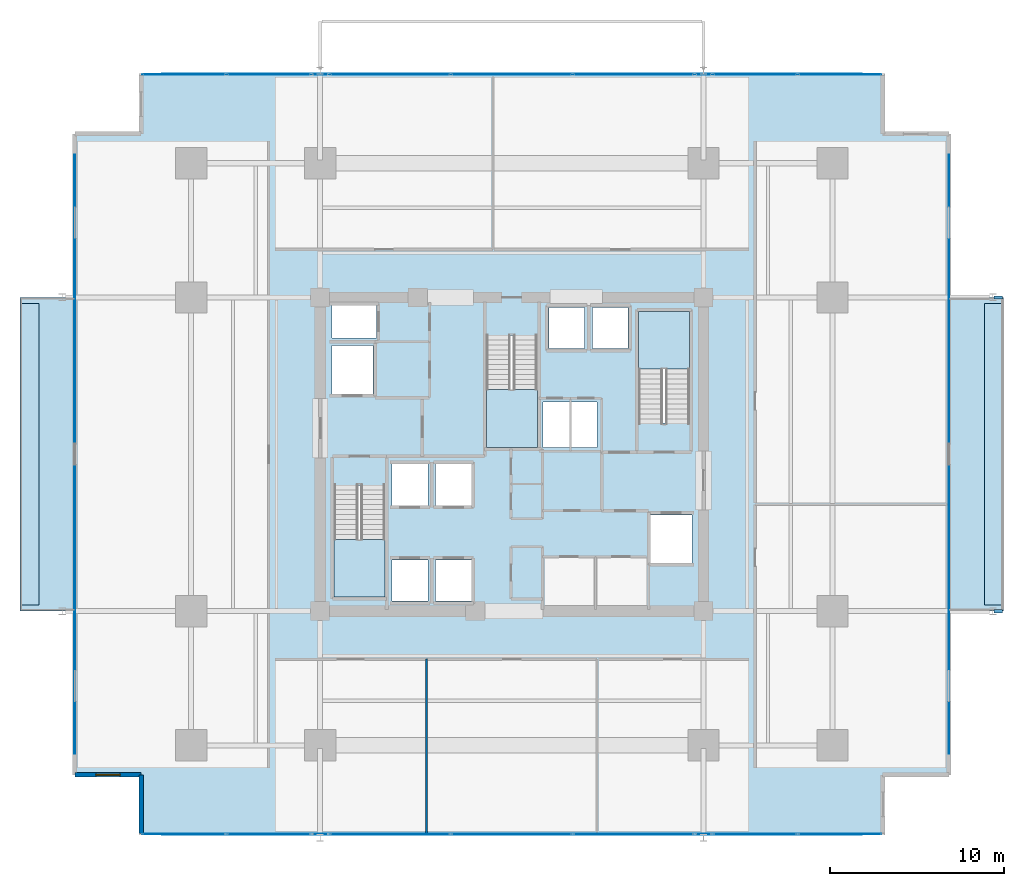
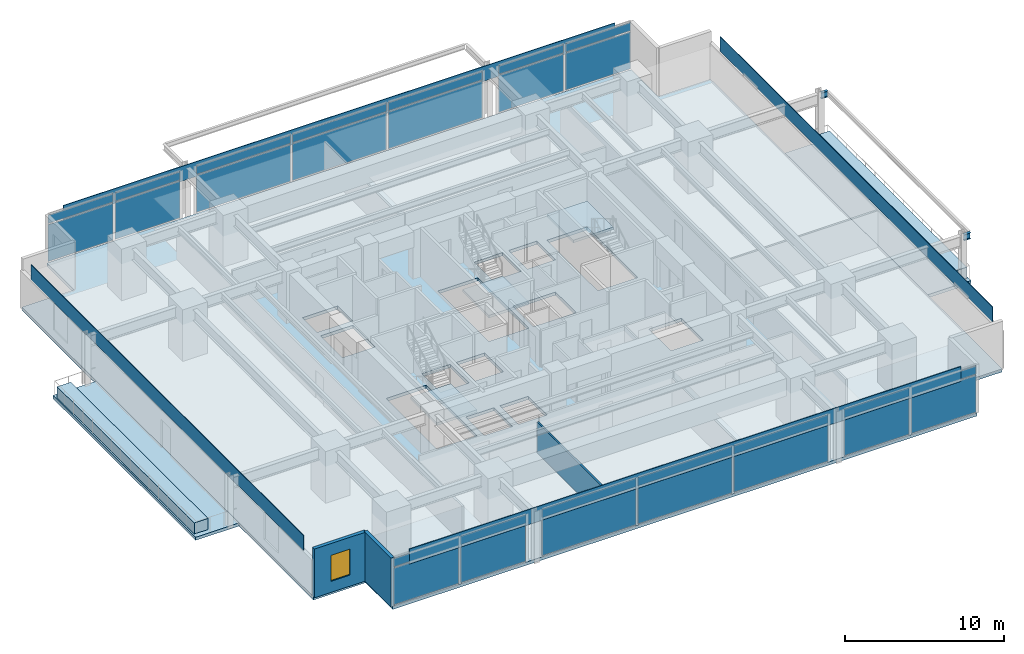
# One storey, part 12 of 20: 32 plates, 8 slabs, 3 walls, 2 beams, 1 window, 1 opening, 9 elements without a shape of their own.
"""IFC4 building model written with IfcOpenShell, lengths in metres."""

from ifc_helpers import new_model, si_unit, direction, frame, frame_2d, origin, origin_2d, place, context, subcontext, project, spatial, polyline, rectangle, i_section, outline, extrude, material, layer, layer_set, material_profile, profile_set, type_object, element, fill, aggregate, save


model = new_model("IFC4")

# Units and contexts
model_context = context("Model", 3, precision=1e-05, world=origin(), true_north=direction((0.0, 1.0)))
body_context = subcontext(model_context, "Body", "Model", "MODEL_VIEW")
ifc_project = project(units=[si_unit("LENGTHUNIT", "METRE"), si_unit("AREAUNIT", "SQUARE_METRE"), si_unit("VOLUMEUNIT", "CUBIC_METRE"), si_unit("PLANEANGLEUNIT", "RADIAN"), si_unit("MASSUNIT", "GRAM", prefix="KILO")], contexts=[model_context])

# Site, building, storey
site_placement = place(None, origin())
site = spatial("IfcSite", under=ifc_project, at=site_placement, CompositionType="ELEMENT")
building_placement = place(site_placement, origin())
building = spatial("IfcBuilding", under=site, at=building_placement, Name="Kovane Verandah Tower", CompositionType="ELEMENT")
storey_placement = place(building_placement, frame((0.0, 0.0, 35.60009765625)))
storey = spatial("IfcBuildingStorey", under=building, at=storey_placement, Name="L07", CompositionType="ELEMENT", Elevation=35.60009765625)

# Beams
ifc_material_1 = material(Name="Steel S355", Category="steel")
ifc_material_profile = material_profile(ifc_material_1, i_section(OverallWidth=0.19287109375, OverallDepth=0.46728515625, WebThickness=0.011474609375, FlangeThickness=0.01953125, FilletRadius=0.01025390625, at=origin_2d()), Name="UB457x191x98")
ifc_profile_set = profile_set([ifc_material_profile], Name="Steel S355")
beam_type = type_object("IfcBeamType", Name="JST-UB457x98", PredefinedType="JOIST", material=ifc_profile_set)
for number, where, z_axis, x_axis, name in (
    (1, (67.679931640625, 18.5, 3.5263671875), (1.0, 0.0, 0.0), (0.0, 1.0, 0.0), "L07 East Planter Girder 1"),
    (2, (67.679931640625, 36.5, 3.5263671875), (1.0, 0.0, 0.0), (0.0, 1.0, 0.0), "L07 East Planter Girder 2"),
):
    element("IfcBeam", number, at=place(storey_placement, frame(where, z_axis=z_axis, x_axis=x_axis)), inside=storey, type_object=beam_type, Name=name, PredefinedType="JOIST", context=body_context, shape_type="SweptSolid", body=[
        extrude(i_section(OverallWidth=0.19287109375, OverallDepth=0.46728515625, WebThickness=0.011474609375, FlangeThickness=0.01953125, FilletRadius=0.01025390625, at=origin_2d()), origin(), (0.0, 0.0, 1.0), 0.473388671875),
    ])

# Curtain wall, plates
ifc_material_2 = material(Name="Champagne Anodised Aluminium Frame with Low-E Clear Laminated Glass", Category="aluminium")
curtain_wall_type = type_object("IfcCurtainWallType", Name="CW-SYS-02-LOW", PredefinedType="NOTDEFINED", material=ifc_material_2)
curtain_wall_1_placement = place(storey_placement, origin())
curtain_wall_1 = element("IfcCurtainWall", 3, at=curtain_wall_1_placement, inside=storey, type_object=curtain_wall_type, Name="L07 S Unitised Curtain Wall-1", PredefinedType="NOTDEFINED")
ifc_material_3 = material(Name="Pale Champagne Anodised Aluminium Insulated Spandrel", Category="aluminium")
ifc_layer_1 = layer(ifc_material_3, 0.0400390625)
ifc_layer_set_1 = layer_set([ifc_layer_1], Name="Pale Champagne Anodised Aluminium Insulated Spandrel")
plate_type_1 = type_object("IfcPlateType", Name="PL-CW-SPD-40", PredefinedType="SHEET", material=ifc_layer_set_1)
plate_1_placement = place(storey_placement, frame((21.167236328125, 5.710693359375, 3.02978515625), z_axis=(0.0, 0.0, 1.0), x_axis=(1.0, 0.0, 0.0)))
plate_1 = element("IfcPlate", 4, at=plate_1_placement, type_object=plate_type_1, Name="L07 S Unitised Curtain Wall-1 Spandrel Panel 1", PredefinedType="SHEET", context=body_context, shape_type="SweptSolid", body=[
    extrude(rectangle(XDim=4.735107421875, YDim=0.0400390625, at=origin_2d()), origin(), (0.0, 0.0, 1.0), 0.639892578125),
])
plate_2_placement = place(storey_placement, frame((26.04248046875, 5.710693359375, 3.02978515625), z_axis=(0.0, 0.0, 1.0), x_axis=(1.0, 0.0, 0.0)))
plate_2 = element("IfcPlate", 5, at=plate_2_placement, type_object=plate_type_1, Name="L07 S Unitised Curtain Wall-1 Spandrel Panel 2", PredefinedType="SHEET", context=body_context, shape_type="SweptSolid", body=[
    extrude(rectangle(XDim=4.735107421875, YDim=0.0400390625, at=origin_2d()), origin(), (0.0, 0.0, 1.0), 0.639892578125),
])

curtain_wall_2_placement = place(storey_placement, origin())
curtain_wall_2 = element("IfcCurtainWall", 6, at=curtain_wall_2_placement, inside=storey, type_object=curtain_wall_type, Name="L07 S Unitised Curtain Wall-2", PredefinedType="NOTDEFINED")
plate_3_placement = place(storey_placement, frame((33.01318359375, 5.710693359375, 3.02978515625), z_axis=(0.0, 0.0, 1.0), x_axis=(1.0, 0.0, 0.0)))
plate_3 = element("IfcPlate", 7, at=plate_3_placement, type_object=plate_type_1, Name="L07 S Unitised Curtain Wall-2 Spandrel Panel 1", PredefinedType="SHEET", context=body_context, shape_type="SweptSolid", body=[
    extrude(rectangle(XDim=6.8466796875, YDim=0.0400390625, at=origin_2d()), origin(), (0.0, 0.0, 1.0), 0.639892578125),
])
plate_4_placement = place(storey_placement, frame((40.0, 5.710693359375, 3.02978515625), z_axis=(0.0, 0.0, 1.0), x_axis=(1.0, 0.0, 0.0)))
plate_4 = element("IfcPlate", 8, at=plate_4_placement, type_object=plate_type_1, Name="L07 S Unitised Curtain Wall-2 Spandrel Panel 2", PredefinedType="SHEET", context=body_context, shape_type="SweptSolid", body=[
    extrude(rectangle(XDim=6.8466796875, YDim=0.0400390625, at=origin_2d()), origin(), (0.0, 0.0, 1.0), 0.639892578125),
])
plate_5_placement = place(storey_placement, frame((46.98681640625, 5.710693359375, 3.02978515625), z_axis=(0.0, 0.0, 1.0), x_axis=(1.0, 0.0, 0.0)))
plate_5 = element("IfcPlate", 9, at=plate_5_placement, type_object=plate_type_1, Name="L07 S Unitised Curtain Wall-2 Spandrel Panel 3", PredefinedType="SHEET", context=body_context, shape_type="SweptSolid", body=[
    extrude(rectangle(XDim=6.8466796875, YDim=0.0400390625, at=origin_2d()), origin(), (0.0, 0.0, 1.0), 0.639892578125),
])

curtain_wall_3_placement = place(storey_placement, origin())
curtain_wall_3 = element("IfcCurtainWall", 10, at=curtain_wall_3_placement, inside=storey, type_object=curtain_wall_type, Name="L07 S Unitised Curtain Wall-3", PredefinedType="NOTDEFINED")
plate_6_placement = place(storey_placement, frame((53.95751953125, 5.710693359375, 3.02978515625), z_axis=(0.0, 0.0, 1.0), x_axis=(1.0, 0.0, 0.0)))
plate_6 = element("IfcPlate", 11, at=plate_6_placement, type_object=plate_type_1, Name="L07 S Unitised Curtain Wall-3 Spandrel Panel 1", PredefinedType="SHEET", context=body_context, shape_type="SweptSolid", body=[
    extrude(rectangle(XDim=4.735107421875, YDim=0.0400390625, at=origin_2d()), origin(), (0.0, 0.0, 1.0), 0.639892578125),
])
plate_7_placement = place(storey_placement, frame((58.832763671875, 5.710693359375, 3.02978515625), z_axis=(0.0, 0.0, 1.0), x_axis=(1.0, 0.0, 0.0)))
plate_7 = element("IfcPlate", 12, at=plate_7_placement, type_object=plate_type_1, Name="L07 S Unitised Curtain Wall-3 Spandrel Panel 2", PredefinedType="SHEET", context=body_context, shape_type="SweptSolid", body=[
    extrude(rectangle(XDim=4.735107421875, YDim=0.0400390625, at=origin_2d()), origin(), (0.0, 0.0, 1.0), 0.639892578125),
])

curtain_wall_4_placement = place(storey_placement, origin())
curtain_wall_4 = element("IfcCurtainWall", 13, at=curtain_wall_4_placement, inside=storey, type_object=curtain_wall_type, Name="L07 N Unitised Curtain Wall-1", PredefinedType="NOTDEFINED")
plate_8_placement = place(storey_placement, frame((58.832763671875, 49.289306640625, 3.02978515625), z_axis=(0.0, 0.0, 1.0), x_axis=(-1.0, 0.0, 0.0)))
plate_8 = element("IfcPlate", 14, at=plate_8_placement, type_object=plate_type_1, Name="L07 N Unitised Curtain Wall-1 Spandrel Panel 1", PredefinedType="SHEET", context=body_context, shape_type="SweptSolid", body=[
    extrude(rectangle(XDim=4.735107421875, YDim=0.0400390625, at=origin_2d()), origin(), (0.0, 0.0, 1.0), 0.639892578125),
])
plate_9_placement = place(storey_placement, frame((53.95751953125, 49.289306640625, 3.02978515625), z_axis=(0.0, 0.0, 1.0), x_axis=(-1.0, 0.0, 0.0)))
plate_9 = element("IfcPlate", 15, at=plate_9_placement, type_object=plate_type_1, Name="L07 N Unitised Curtain Wall-1 Spandrel Panel 2", PredefinedType="SHEET", context=body_context, shape_type="SweptSolid", body=[
    extrude(rectangle(XDim=4.735107421875, YDim=0.0400390625, at=origin_2d()), origin(), (0.0, 0.0, 1.0), 0.639892578125),
])

curtain_wall_5_placement = place(storey_placement, origin())
curtain_wall_5 = element("IfcCurtainWall", 16, at=curtain_wall_5_placement, inside=storey, type_object=curtain_wall_type, Name="L07 N Unitised Curtain Wall-2", PredefinedType="NOTDEFINED")
plate_10_placement = place(storey_placement, frame((46.98681640625, 49.289306640625, 3.02978515625), z_axis=(0.0, 0.0, 1.0), x_axis=(-1.0, 0.0, 0.0)))
plate_10 = element("IfcPlate", 17, at=plate_10_placement, type_object=plate_type_1, Name="L07 N Unitised Curtain Wall-2 Spandrel Panel 1", PredefinedType="SHEET", context=body_context, shape_type="SweptSolid", body=[
    extrude(rectangle(XDim=6.8466796875, YDim=0.0400390625, at=origin_2d()), origin(), (0.0, 0.0, 1.0), 0.639892578125),
])
plate_11_placement = place(storey_placement, frame((40.0, 49.289306640625, 3.02978515625), z_axis=(0.0, 0.0, 1.0), x_axis=(-1.0, 0.0, 0.0)))
plate_11 = element("IfcPlate", 18, at=plate_11_placement, type_object=plate_type_1, Name="L07 N Unitised Curtain Wall-2 Spandrel Panel 2", PredefinedType="SHEET", context=body_context, shape_type="SweptSolid", body=[
    extrude(rectangle(XDim=6.8466796875, YDim=0.0400390625, at=origin_2d()), origin(), (0.0, 0.0, 1.0), 0.639892578125),
])
plate_12_placement = place(storey_placement, frame((33.01318359375, 49.289306640625, 3.02978515625), z_axis=(0.0, 0.0, 1.0), x_axis=(-1.0, 0.0, 0.0)))
plate_12 = element("IfcPlate", 19, at=plate_12_placement, type_object=plate_type_1, Name="L07 N Unitised Curtain Wall-2 Spandrel Panel 3", PredefinedType="SHEET", context=body_context, shape_type="SweptSolid", body=[
    extrude(rectangle(XDim=6.8466796875, YDim=0.0400390625, at=origin_2d()), origin(), (0.0, 0.0, 1.0), 0.639892578125),
])

curtain_wall_6_placement = place(storey_placement, origin())
curtain_wall_6 = element("IfcCurtainWall", 20, at=curtain_wall_6_placement, inside=storey, type_object=curtain_wall_type, Name="L07 N Unitised Curtain Wall-3", PredefinedType="NOTDEFINED")
plate_13_placement = place(storey_placement, frame((26.04248046875, 49.289306640625, 3.02978515625), z_axis=(0.0, 0.0, 1.0), x_axis=(-1.0, 0.0, 0.0)))
plate_13 = element("IfcPlate", 21, at=plate_13_placement, type_object=plate_type_1, Name="L07 N Unitised Curtain Wall-3 Spandrel Panel 1", PredefinedType="SHEET", context=body_context, shape_type="SweptSolid", body=[
    extrude(rectangle(XDim=4.735107421875, YDim=0.0400390625, at=origin_2d()), origin(), (0.0, 0.0, 1.0), 0.639892578125),
])
plate_14_placement = place(storey_placement, frame((21.167236328125, 49.289306640625, 3.02978515625), z_axis=(0.0, 0.0, 1.0), x_axis=(-1.0, 0.0, 0.0)))
plate_14 = element("IfcPlate", 22, at=plate_14_placement, type_object=plate_type_1, Name="L07 N Unitised Curtain Wall-3 Spandrel Panel 2", PredefinedType="SHEET", context=body_context, shape_type="SweptSolid", body=[
    extrude(rectangle(XDim=4.735107421875, YDim=0.0400390625, at=origin_2d()), origin(), (0.0, 0.0, 1.0), 0.639892578125),
])

# Plate
ifc_material_4 = material(Name="Clear Low-E Laminated Double Glazing", Category="glass")
ifc_layer_2 = layer(ifc_material_4, 0.031982421875)
ifc_layer_set_2 = layer_set([ifc_layer_2], Name="Clear Low-E Laminated Double Glazing")
plate_type_2 = type_object("IfcPlateType", Name="PL-CW-VIS-32", PredefinedType="CURTAIN_PANEL", material=ifc_layer_set_2)
plate_15_placement = place(storey_placement, frame((21.167236328125, 5.710693359375, 0.099853515625), z_axis=(0.0, 0.0, 1.0), x_axis=(1.0, 0.0, 0.0)))
plate_15 = element("IfcPlate", 23, at=plate_15_placement, type_object=plate_type_2, Name="L07 S Unitised Curtain Wall-1 Vision Panel 1", PredefinedType="CURTAIN_PANEL", context=body_context, shape_type="SweptSolid", body=[
    extrude(rectangle(XDim=4.735107421875, YDim=0.031982421875, at=origin_2d()), origin(), (0.0, 0.0, 1.0), 2.830078125),
])

plate_16_placement = place(storey_placement, frame((26.04248046875, 5.710693359375, 0.099853515625), z_axis=(0.0, 0.0, 1.0), x_axis=(1.0, 0.0, 0.0)))
plate_16 = element("IfcPlate", 24, at=plate_16_placement, type_object=plate_type_2, Name="L07 S Unitised Curtain Wall-1 Vision Panel 2", PredefinedType="CURTAIN_PANEL", context=body_context, shape_type="SweptSolid", body=[
    extrude(rectangle(XDim=4.735107421875, YDim=0.031982421875, at=origin_2d()), origin(), (0.0, 0.0, 1.0), 2.830078125),
])

aggregate(curtain_wall_1, [plate_15, plate_1, plate_16, plate_2])

plate_17_placement = place(storey_placement, frame((33.01318359375, 5.710693359375, 0.099853515625), z_axis=(0.0, 0.0, 1.0), x_axis=(1.0, 0.0, 0.0)))
plate_17 = element("IfcPlate", 25, at=plate_17_placement, type_object=plate_type_2, Name="L07 S Unitised Curtain Wall-2 Vision Panel 1", PredefinedType="CURTAIN_PANEL", context=body_context, shape_type="SweptSolid", body=[
    extrude(rectangle(XDim=6.8466796875, YDim=0.031982421875, at=origin_2d()), origin(), (0.0, 0.0, 1.0), 2.830078125),
])

plate_18_placement = place(storey_placement, frame((40.0, 5.710693359375, 0.099853515625), z_axis=(0.0, 0.0, 1.0), x_axis=(1.0, 0.0, 0.0)))
plate_18 = element("IfcPlate", 26, at=plate_18_placement, type_object=plate_type_2, Name="L07 S Unitised Curtain Wall-2 Vision Panel 2", PredefinedType="CURTAIN_PANEL", context=body_context, shape_type="SweptSolid", body=[
    extrude(rectangle(XDim=6.8466796875, YDim=0.031982421875, at=origin_2d()), origin(), (0.0, 0.0, 1.0), 2.830078125),
])

plate_19_placement = place(storey_placement, frame((46.98681640625, 5.710693359375, 0.099853515625), z_axis=(0.0, 0.0, 1.0), x_axis=(1.0, 0.0, 0.0)))
plate_19 = element("IfcPlate", 27, at=plate_19_placement, type_object=plate_type_2, Name="L07 S Unitised Curtain Wall-2 Vision Panel 3", PredefinedType="CURTAIN_PANEL", context=body_context, shape_type="SweptSolid", body=[
    extrude(rectangle(XDim=6.8466796875, YDim=0.031982421875, at=origin_2d()), origin(), (0.0, 0.0, 1.0), 2.830078125),
])

aggregate(curtain_wall_2, [plate_17, plate_3, plate_18, plate_4, plate_19, plate_5])

plate_20_placement = place(storey_placement, frame((53.95751953125, 5.710693359375, 0.099853515625), z_axis=(0.0, 0.0, 1.0), x_axis=(1.0, 0.0, 0.0)))
plate_20 = element("IfcPlate", 28, at=plate_20_placement, type_object=plate_type_2, Name="L07 S Unitised Curtain Wall-3 Vision Panel 1", PredefinedType="CURTAIN_PANEL", context=body_context, shape_type="SweptSolid", body=[
    extrude(rectangle(XDim=4.735107421875, YDim=0.031982421875, at=origin_2d()), origin(), (0.0, 0.0, 1.0), 2.830078125),
])

plate_21_placement = place(storey_placement, frame((58.832763671875, 5.710693359375, 0.099853515625), z_axis=(0.0, 0.0, 1.0), x_axis=(1.0, 0.0, 0.0)))
plate_21 = element("IfcPlate", 29, at=plate_21_placement, type_object=plate_type_2, Name="L07 S Unitised Curtain Wall-3 Vision Panel 2", PredefinedType="CURTAIN_PANEL", context=body_context, shape_type="SweptSolid", body=[
    extrude(rectangle(XDim=4.735107421875, YDim=0.031982421875, at=origin_2d()), origin(), (0.0, 0.0, 1.0), 2.830078125),
])

aggregate(curtain_wall_3, [plate_20, plate_6, plate_21, plate_7])

plate_22_placement = place(storey_placement, frame((58.832763671875, 49.289306640625, 0.099853515625), z_axis=(0.0, 0.0, 1.0), x_axis=(-1.0, 0.0, 0.0)))
plate_22 = element("IfcPlate", 30, at=plate_22_placement, type_object=plate_type_2, Name="L07 N Unitised Curtain Wall-1 Vision Panel 1", PredefinedType="CURTAIN_PANEL", context=body_context, shape_type="SweptSolid", body=[
    extrude(rectangle(XDim=4.735107421875, YDim=0.031982421875, at=origin_2d()), origin(), (0.0, 0.0, 1.0), 2.830078125),
])

plate_23_placement = place(storey_placement, frame((53.95751953125, 49.289306640625, 0.099853515625), z_axis=(0.0, 0.0, 1.0), x_axis=(-1.0, 0.0, 0.0)))
plate_23 = element("IfcPlate", 31, at=plate_23_placement, type_object=plate_type_2, Name="L07 N Unitised Curtain Wall-1 Vision Panel 2", PredefinedType="CURTAIN_PANEL", context=body_context, shape_type="SweptSolid", body=[
    extrude(rectangle(XDim=4.735107421875, YDim=0.031982421875, at=origin_2d()), origin(), (0.0, 0.0, 1.0), 2.830078125),
])

aggregate(curtain_wall_4, [plate_22, plate_8, plate_23, plate_9])

plate_24_placement = place(storey_placement, frame((46.98681640625, 49.289306640625, 0.099853515625), z_axis=(0.0, 0.0, 1.0), x_axis=(-1.0, 0.0, 0.0)))
plate_24 = element("IfcPlate", 32, at=plate_24_placement, type_object=plate_type_2, Name="L07 N Unitised Curtain Wall-2 Vision Panel 1", PredefinedType="CURTAIN_PANEL", context=body_context, shape_type="SweptSolid", body=[
    extrude(rectangle(XDim=6.8466796875, YDim=0.031982421875, at=origin_2d()), origin(), (0.0, 0.0, 1.0), 2.830078125),
])

plate_25_placement = place(storey_placement, frame((40.0, 49.289306640625, 0.099853515625), z_axis=(0.0, 0.0, 1.0), x_axis=(-1.0, 0.0, 0.0)))
plate_25 = element("IfcPlate", 33, at=plate_25_placement, type_object=plate_type_2, Name="L07 N Unitised Curtain Wall-2 Vision Panel 2", PredefinedType="CURTAIN_PANEL", context=body_context, shape_type="SweptSolid", body=[
    extrude(rectangle(XDim=6.8466796875, YDim=0.031982421875, at=origin_2d()), origin(), (0.0, 0.0, 1.0), 2.830078125),
])

plate_26_placement = place(storey_placement, frame((33.01318359375, 49.289306640625, 0.099853515625), z_axis=(0.0, 0.0, 1.0), x_axis=(-1.0, 0.0, 0.0)))
plate_26 = element("IfcPlate", 34, at=plate_26_placement, type_object=plate_type_2, Name="L07 N Unitised Curtain Wall-2 Vision Panel 3", PredefinedType="CURTAIN_PANEL", context=body_context, shape_type="SweptSolid", body=[
    extrude(rectangle(XDim=6.8466796875, YDim=0.031982421875, at=origin_2d()), origin(), (0.0, 0.0, 1.0), 2.830078125),
])

aggregate(curtain_wall_5, [plate_24, plate_10, plate_25, plate_11, plate_26, plate_12])

plate_27_placement = place(storey_placement, frame((26.04248046875, 49.289306640625, 0.099853515625), z_axis=(0.0, 0.0, 1.0), x_axis=(-1.0, 0.0, 0.0)))
plate_27 = element("IfcPlate", 35, at=plate_27_placement, type_object=plate_type_2, Name="L07 N Unitised Curtain Wall-3 Vision Panel 1", PredefinedType="CURTAIN_PANEL", context=body_context, shape_type="SweptSolid", body=[
    extrude(rectangle(XDim=4.735107421875, YDim=0.031982421875, at=origin_2d()), origin(), (0.0, 0.0, 1.0), 2.830078125),
])

plate_28_placement = place(storey_placement, frame((21.167236328125, 49.289306640625, 0.099853515625), z_axis=(0.0, 0.0, 1.0), x_axis=(-1.0, 0.0, 0.0)))
plate_28 = element("IfcPlate", 36, at=plate_28_placement, type_object=plate_type_2, Name="L07 N Unitised Curtain Wall-3 Vision Panel 2", PredefinedType="CURTAIN_PANEL", context=body_context, shape_type="SweptSolid", body=[
    extrude(rectangle(XDim=4.735107421875, YDim=0.031982421875, at=origin_2d()), origin(), (0.0, 0.0, 1.0), 2.830078125),
])

aggregate(curtain_wall_6, [plate_27, plate_13, plate_28, plate_14])

# Plates
ifc_material_5 = material(Name="Perforated Pale Champagne Anodised Aluminium Solar Screen", Category="aluminium")
ifc_layer_3 = layer(ifc_material_5, 0.050048828125)
ifc_layer_set_3 = layer_set([ifc_layer_3], Name="Perforated Pale Champagne Anodised Aluminium Solar Screen")
plate_type_3 = type_object("IfcPlateType", Name="PL-SCREEN-50", PredefinedType="USERDEFINED", material=ifc_layer_set_3)
plate_29_placement = place(storey_placement, frame((40.0, 5.69580078125, 2.85986328125), z_axis=(0.0, 0.0, 1.0), x_axis=(1.0, 0.0, 0.0)))
element("IfcPlate", 37, at=plate_29_placement, inside=storey, type_object=plate_type_3, Name="L07 S Perforated Champagne-Gold Solar Screen", ObjectType="SCREEN", PredefinedType="USERDEFINED", context=body_context, shape_type="SweptSolid", body=[
    extrude(rectangle(XDim=40.14111328125, YDim=0.050048828125, at=origin_2d()), origin(), (0.0, 0.0, 1.0), 1.14990234375),
])
plate_30_placement = place(storey_placement, frame((65.08544921875, 27.5, 2.85986328125), z_axis=(0.0, 0.0, 1.0), x_axis=(0.0, 1.0, 0.0)))
element("IfcPlate", 38, at=plate_30_placement, inside=storey, type_object=plate_type_3, Name="L07 E Perforated Champagne-Gold Solar Screen", ObjectType="SCREEN", PredefinedType="USERDEFINED", context=body_context, shape_type="SweptSolid", body=[
    extrude(rectangle(XDim=34.37890625, YDim=0.050048828125, at=origin_2d()), origin(), (0.0, 0.0, 1.0), 1.14990234375),
])
plate_31_placement = place(storey_placement, frame((40.0, 49.30419921875, 2.85986328125), z_axis=(0.0, 0.0, 1.0), x_axis=(-1.0, 0.0, 0.0)))
element("IfcPlate", 39, at=plate_31_placement, inside=storey, type_object=plate_type_3, Name="L07 N Perforated Champagne-Gold Solar Screen", ObjectType="SCREEN", PredefinedType="USERDEFINED", context=body_context, shape_type="SweptSolid", body=[
    extrude(rectangle(XDim=40.14111328125, YDim=0.050048828125, at=origin_2d()), origin(), (0.0, 0.0, 1.0), 1.14990234375),
])
plate_32_placement = place(storey_placement, frame((14.91455078125, 27.5, 2.85986328125), z_axis=(0.0, 0.0, 1.0), x_axis=(0.0, -1.0, 0.0)))
element("IfcPlate", 40, at=plate_32_placement, inside=storey, type_object=plate_type_3, Name="L07 W Perforated Champagne-Gold Solar Screen", ObjectType="SCREEN", PredefinedType="USERDEFINED", context=body_context, shape_type="SweptSolid", body=[
    extrude(rectangle(XDim=34.37890625, YDim=0.050048828125, at=origin_2d()), origin(), (0.0, 0.0, 1.0), 1.14990234375),
])

# Slabs
ifc_material_6 = material(Name="Concrete C45/55", Category="concrete")
ifc_layer_4 = layer(ifc_material_6, 0.239990234375)
ifc_layer_set_4 = layer_set([ifc_layer_4], Name="Concrete C45/55")
slab_type_1 = type_object("IfcSlabType", Name="SL-BALC-240", PredefinedType="FLOOR", material=ifc_layer_set_4)
slab_1_placement = place(storey_placement, frame((0.0, 0.0, -0.239990234375)))
element("IfcSlab", 41, at=slab_1_placement, inside=storey, type_object=slab_type_1, Name="L07 E Planted Verandah Balcony Slab", PredefinedType="FLOOR", context=body_context, shape_type="SweptSolid", body=[
    extrude(outline(polyline([(65.0703125, 18.5), (68.220458984375, 18.5), (68.220458984375, 36.5), (65.0703125, 36.5), (65.0703125, 18.5)])), origin(), (0.0, 0.0, 1.0), 0.239990234375),
])
slab_2_placement = place(storey_placement, frame((0.0, 0.0, -0.239990234375)))
element("IfcSlab", 42, at=slab_2_placement, inside=storey, type_object=slab_type_1, Name="L07 W Planted Verandah Balcony Slab", PredefinedType="FLOOR", context=body_context, shape_type="SweptSolid", body=[
    extrude(outline(polyline([(11.779541015625, 18.5), (14.9296875, 18.5), (14.9296875, 36.5), (11.779541015625, 36.5), (11.779541015625, 18.5)])), origin(), (0.0, 0.0, 1.0), 0.239990234375),
])

# Stair, slab
stair_type = type_object("IfcStairType", Name="ST-CORE-1380", PredefinedType="HALF_TURN_STAIR", material=ifc_material_6)
stair_1_placement = place(storey_placement, origin())
stair_1 = element("IfcStair", 43, at=stair_1_placement, inside=storey, type_object=stair_type, Name="L07 Exit Stair ST-01", PredefinedType="HALF_TURN_STAIR")
ifc_layer_5 = layer(ifc_material_6, 0.199951171875)
ifc_layer_set_5 = layer_set([ifc_layer_5], Name="Concrete C45/55")
slab_type_2 = type_object("IfcSlabType", Name="SL-LAND-200", PredefinedType="LANDING", material=ifc_layer_set_5)
slab_3_placement = place(storey_placement, frame((0.0, 0.0, 1.7998046875)))
slab_3 = element("IfcSlab", 44, at=slab_3_placement, type_object=slab_type_2, Name="ST-01 landing 1", PredefinedType="LANDING", context=body_context, shape_type="SweptSolid", body=[
    extrude(outline(polyline([(29.800048828125, 22.614990234375), (29.800048828125, 19.300048828125), (32.719970703125, 19.300048828125), (32.719970703125, 22.614990234375), (29.800048828125, 22.614990234375)])), origin(), (0.0, 0.0, 1.0), 0.2001953125),
])
aggregate(stair_1, [slab_3])

stair_2_placement = place(storey_placement, origin())
stair_2 = element("IfcStair", 45, at=stair_2_placement, inside=storey, type_object=stair_type, Name="L07 Exit Stair ST-02", PredefinedType="HALF_TURN_STAIR")
slab_4_placement = place(storey_placement, frame((0.0, 0.0, 1.7998046875)))
slab_4 = element("IfcSlab", 46, at=slab_4_placement, type_object=slab_type_2, Name="ST-02 landing 1", PredefinedType="LANDING", context=body_context, shape_type="SweptSolid", body=[
    extrude(outline(polyline([(50.199951171875, 32.385009765625), (50.199951171875, 35.699951171875), (47.280029296875, 35.699951171875), (47.280029296875, 32.385009765625), (50.199951171875, 32.385009765625)])), origin(), (0.0, 0.0, 1.0), 0.2001953125),
])
aggregate(stair_2, [slab_4])

stair_3_placement = place(storey_placement, origin())
stair_3 = element("IfcStair", 47, at=stair_3_placement, inside=storey, type_object=stair_type, Name="L07 Exit Stair ST-03", PredefinedType="HALF_TURN_STAIR")
slab_5_placement = place(storey_placement, frame((0.0, 0.0, 1.7998046875)))
slab_5 = element("IfcSlab", 48, at=slab_5_placement, type_object=slab_type_2, Name="ST-03 landing 1", PredefinedType="LANDING", context=body_context, shape_type="SweptSolid", body=[
    extrude(outline(polyline([(38.5400390625, 31.215087890625), (38.5400390625, 27.89990234375), (41.4599609375, 27.89990234375), (41.4599609375, 31.215087890625), (38.5400390625, 31.215087890625)])), origin(), (0.0, 0.0, 1.0), 0.2001953125),
])
aggregate(stair_3, [slab_5])

# Slabs
ifc_material_7 = material(Name="Architectural Precast Concrete C45/55 Planter Trough", Category="concrete")
ifc_layer_6 = layer(ifc_material_7, 0.219970703125)
ifc_layer_set_6 = layer_set([ifc_layer_6], Name="Architectural Precast Concrete C45/55 Planter Trough")
slab_type_3 = type_object("IfcSlabType", Name="SL-PLANTER-220", PredefinedType="USERDEFINED", material=ifc_layer_set_6)
slab_6_placement = place(storey_placement, origin())
element("IfcSlab", 49, at=slab_6_placement, inside=storey, type_object=slab_type_3, Name="L07 E Structural Tree Planter", ObjectType="PLANTER", PredefinedType="USERDEFINED", context=body_context, shape_type="SweptSolid", body=[
    extrude(outline(polyline([(67.120361328125, 18.85009765625), (68.120361328125, 18.85009765625), (68.120361328125, 36.14990234375), (67.120361328125, 36.14990234375), (67.120361328125, 18.85009765625)])), origin(), (0.0, 0.0, 1.0), 0.849853515625),
])
slab_7_placement = place(storey_placement, origin())
element("IfcSlab", 50, at=slab_7_placement, inside=storey, type_object=slab_type_3, Name="L07 W Structural Tree Planter", ObjectType="PLANTER", PredefinedType="USERDEFINED", context=body_context, shape_type="SweptSolid", body=[
    extrude(outline(polyline([(11.879638671875, 18.85009765625), (12.879638671875, 18.85009765625), (12.879638671875, 36.14990234375), (11.879638671875, 36.14990234375), (11.879638671875, 18.85009765625)])), origin(), (0.0, 0.0, 1.0), 0.849853515625),
])
ifc_layer_7 = layer(ifc_material_6, 0.239990234375)
ifc_layer_set_7 = layer_set([ifc_layer_7], Name="Concrete C45/55")
slab_type_4 = type_object("IfcSlabType", Name="SL-TYP-240", PredefinedType="FLOOR", material=ifc_layer_set_7)
slab_8_placement = place(storey_placement, frame((0.0, 0.0, -0.239990234375)))
element("IfcSlab", 51, at=slab_8_placement, inside=storey, type_object=slab_type_4, Name="L07 Structural Floor Slab", PredefinedType="FLOOR", context=body_context, shape_type="SweptSolid", body=[
    extrude(outline(polyline([(18.7294921875, 5.710693359375), (61.2705078125, 5.710693359375), (61.2705078125, 9.110595703125), (65.0703125, 9.110595703125), (65.0703125, 45.889404296875), (61.2705078125, 45.889404296875), (61.2705078125, 49.289306640625), (18.7294921875, 49.289306640625), (18.7294921875, 45.889404296875), (14.9296875, 45.889404296875), (14.9296875, 9.110595703125), (18.7294921875, 9.110595703125), (18.7294921875, 5.710693359375)]), holes=[polyline([(29.800048828125, 19.300048828125), (32.719970703125, 19.300048828125), (32.719970703125, 25.705078125), (29.800048828125, 25.705078125), (29.800048828125, 19.300048828125)]), polyline([(47.280029296875, 29.294921875), (50.199951171875, 29.294921875), (50.199951171875, 35.699951171875), (47.280029296875, 35.699951171875), (47.280029296875, 29.294921875)]), polyline([(38.5400390625, 27.89990234375), (41.4599609375, 27.89990234375), (41.4599609375, 34.304931640625), (38.5400390625, 34.304931640625), (38.5400390625, 27.89990234375)]), polyline([(29.669921875, 30.969970703125), (32.030029296875, 30.969970703125), (32.030029296875, 33.72998046875), (29.669921875, 33.72998046875), (29.669921875, 30.969970703125)]), polyline([(47.969970703125, 21.27001953125), (50.330078125, 21.27001953125), (50.330078125, 24.030029296875), (47.969970703125, 24.030029296875), (47.969970703125, 21.27001953125)]), polyline([(29.669921875, 34.169921875), (32.22998046875, 34.169921875), (32.22998046875, 36.030029296875), (29.669921875, 36.030029296875), (29.669921875, 34.169921875)]), polyline([(33.1201171875, 19.070068359375), (35.179931640625, 19.070068359375), (35.179931640625, 21.429931640625), (33.1201171875, 21.429931640625), (33.1201171875, 19.070068359375)]), polyline([(35.6201171875, 19.070068359375), (37.679931640625, 19.070068359375), (37.679931640625, 21.429931640625), (35.6201171875, 21.429931640625), (35.6201171875, 19.070068359375)]), polyline([(33.1201171875, 24.570068359375), (35.179931640625, 24.570068359375), (35.179931640625, 26.929931640625), (33.1201171875, 26.929931640625), (33.1201171875, 24.570068359375)]), polyline([(35.6201171875, 24.570068359375), (37.679931640625, 24.570068359375), (37.679931640625, 26.929931640625), (35.6201171875, 26.929931640625), (35.6201171875, 24.570068359375)]), polyline([(42.1201171875, 33.570068359375), (44.179931640625, 33.570068359375), (44.179931640625, 35.929931640625), (42.1201171875, 35.929931640625), (42.1201171875, 33.570068359375)]), polyline([(44.6201171875, 33.570068359375), (46.679931640625, 33.570068359375), (46.679931640625, 35.929931640625), (44.6201171875, 35.929931640625), (44.6201171875, 33.570068359375)]), polyline([(41.800048828125, 27.89990234375), (44.89990234375, 27.89990234375), (44.89990234375, 30.5), (41.800048828125, 30.5), (41.800048828125, 27.89990234375)])]), origin(), (0.0, 0.0, 1.0), 0.239990234375),
])

# Wall
ifc_material_8 = material(Name="Acoustic Fire-Rated Gypsum Partition", Category="gypsum")
ifc_layer_8 = layer(ifc_material_8, 0.1201171875)
ifc_layer_set_8 = layer_set([ifc_layer_8], Name="Acoustic Fire-Rated Gypsum Partition")
wall_type_1 = type_object("IfcWallType", Name="WL-PART-120", PredefinedType="PARTITIONING", material=ifc_layer_set_8)
wall_1_placement = place(storey_placement, frame((35.10400390625, 5.810791015625, 0.0), z_axis=(0.0, 0.0, 1.0), x_axis=(0.0, 1.0, 0.0)))
element("IfcWall", 52, at=wall_1_placement, inside=storey, type_object=wall_type_1, Name="L07 Client Boardroom S1 Dividing Partition", PredefinedType="PARTITIONING", context=body_context, shape_type="SweptSolid", body=[
    extrude(rectangle(XDim=9.939208984375, YDim=0.1201171875, at=frame_2d((4.9697265625, 0.0))), origin(), (0.0, 0.0, 1.0), 2.389892578125),
])

# Wall, opening, window
ifc_material_9 = material(Name="Concrete C45/55 Insulated Spandrel Wall", Category="concrete")
ifc_layer_9 = layer(ifc_material_9, 0.260009765625)
ifc_layer_set_9 = layer_set([ifc_layer_9], Name="Concrete C45/55 Insulated Spandrel Wall")
wall_type_2 = type_object("IfcWallType", Name="WL-SPANDREL-260", PredefinedType="PARAPET", material=ifc_layer_set_9)
wall_2_placement = place(storey_placement, frame((14.9296875, 9.110595703125, 0.0), z_axis=(0.0, 0.0, 1.0), x_axis=(1.0, 0.0, 0.0)))
wall_2 = element("IfcWall", 53, at=wall_2_placement, inside=storey, type_object=wall_type_2, Name="L07 SW Notch Cheek Wall 1", PredefinedType="PARAPET", context=body_context, shape_type="SweptSolid", body=[
    extrude(rectangle(XDim=3.7998046875, YDim=0.260009765625, at=frame_2d((1.89990234375, 0.0))), origin(), (0.0, 0.0, 1.0), 3.760009765625),
])
opening_placement = place(wall_2_placement, frame((1.199951171875, 0.0, 0.85009765625)))
opening = element("IfcOpeningElement", 54, at=opening_placement, cuts=wall_2, Name="Opening W-01", PredefinedType="OPENING", context=body_context, shape_type="SweptSolid", body=[
    extrude(rectangle(XDim=1.39990234375, YDim=2.0, at=frame_2d((0.699951171875, 1.0))), frame((0.0, 0.1298828125, 0.0), z_axis=(0.0, -1.0, 0.0), x_axis=(1.0, 0.0, 0.0)), (0.0, 0.0, 1.0), 0.260009765625),
])
ifc_material_10 = material(Name="Clear Low-E Laminated Double Glazing in Anodised Frame", Category="glass")
window_type = type_object("IfcWindowType", Name="WN-OPER-1400x2000", PartitioningType="SINGLE_PANEL", PredefinedType="WINDOW", material=ifc_material_10)
window_placement = place(opening_placement, origin())
window = element("IfcWindow", 55, at=window_placement, inside=storey, type_object=window_type, Name="L07 SW Re-Entrant Corner Operable Window", OverallHeight=2.0, OverallWidth=1.39990234375, PartitioningType="SINGLE_PANEL", PredefinedType="WINDOW", context=body_context, shape_type="SweptSolid", body=[
    extrude(rectangle(XDim=1.39990234375, YDim=2.0, at=frame_2d((0.699951171875, 1.0))), frame((0.0, 0.030029296875, 0.0), z_axis=(0.0, -1.0, 0.0), x_axis=(1.0, 0.0, 0.0)), (0.0, 0.0, 1.0), 0.06005859375),
])
fill(opening, window)

# Wall
wall_3_placement = place(storey_placement, frame((18.7294921875, 9.110595703125, 0.0), z_axis=(0.0, 0.0, 1.0), x_axis=(0.0, -1.0, 0.0)))
element("IfcWall", 56, at=wall_3_placement, inside=storey, type_object=wall_type_2, Name="L07 SW Notch Cheek Wall 2", PredefinedType="PARAPET", context=body_context, shape_type="SweptSolid", body=[
    extrude(rectangle(XDim=3.39990234375, YDim=0.260009765625, at=frame_2d((1.699951171875, 0.0))), origin(), (0.0, 0.0, 1.0), 3.760009765625),
])

save(model, "model.ifc")
